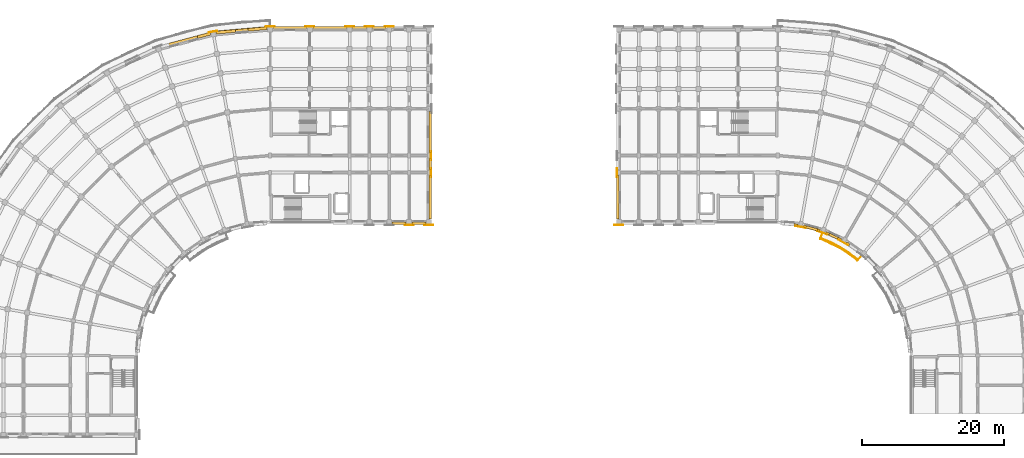
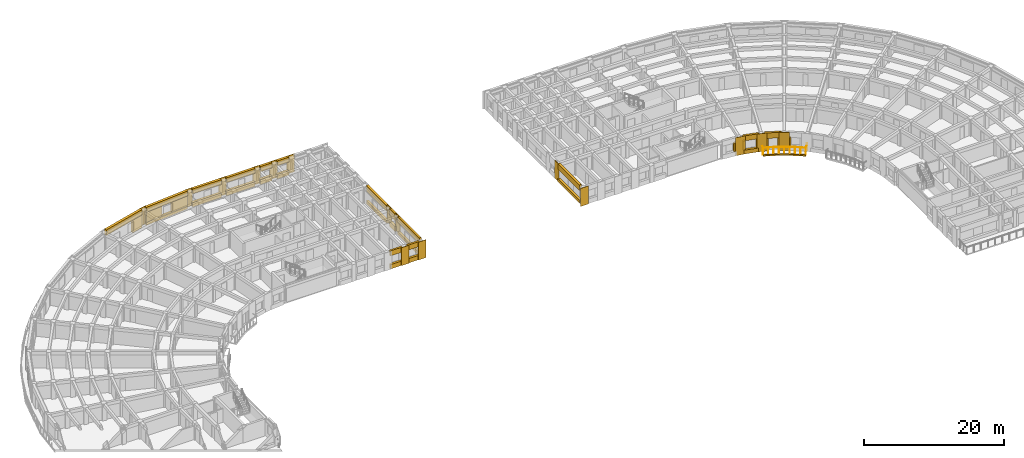
# One storey, part 48 of 54: 51 coverings, 1 railing.
"""IFC4 building model written with IfcOpenShell, lengths in metres."""

import ifcopenshell
import ifcopenshell.guid

model = None  # the IFC model being written
_history = None  # IfcOwnerHistory: only IFC2X3 demands one
_inside = {}  # id of a spatial element -> (the spatial element, [elements in it])
_under = {}  # id of a project, library or spatial element -> (it, [spatial elements below it])
_declared = {}  # id of a project -> (the project, [libraries it declares])
_typed = {}  # id of a type object -> (the type object, [elements of that type])
_made_of = {}  # id of a material, layer set ... -> (it, [elements and type objects made of it])


def new_model(schema):
    """Start an empty IFC model of exactly this schema.

    Asked for "IFC4X3", IfcOpenShell would pick the latest addendum, in which some entities
    have other attributes; the version numbers below select the first issue.
    IFC2X3 requires an IfcOwnerHistory on every rooted entity: one is made here for all.
    """
    global model, _history
    if schema == "IFC4X3":
        model = ifcopenshell.file(schema_version=(4, 3, 0, 0))
    else:
        model = ifcopenshell.file(schema=schema)
    _inside.clear()
    _under.clear()
    _declared.clear()
    _typed.clear()
    _made_of.clear()
    _history = None
    if model.schema == "IFC2X3":
        org = make("IfcOrganization", Name="unknown")
        user = make(
            "IfcPersonAndOrganization",
            ThePerson=make("IfcPerson", FamilyName="unknown"),
            TheOrganization=org,
        )
        app = make(
            "IfcApplication",
            ApplicationDeveloper=org,
            Version="unknown",
            ApplicationFullName="unknown",
            ApplicationIdentifier="unknown",
        )
        _history = make(
            "IfcOwnerHistory",
            OwningUser=user,
            OwningApplication=app,
            ChangeAction="ADDED",
            CreationDate=0,
        )
    return model


def make(cls, **values):
    """One entity of the class cls with the attributes given. An attribute that is None is left unset."""
    return model.create_entity(
        cls, **{name: value for name, value in values.items() if value is not None}
    )


def rooted(cls, **values):
    """An entity with a GlobalId (a new one), such as an element, a storey or a relation."""
    return make(cls, GlobalId=ifcopenshell.guid.new(), OwnerHistory=_history, **values)


def si_unit(unit_type, name, prefix=None):
    """IfcSIUnit, for example si_unit("LENGTHUNIT", "METRE", prefix="MILLI")."""
    return make("IfcSIUnit", UnitType=unit_type, Prefix=prefix, Name=name)


def assignment(units):
    """IfcUnitAssignment: the units of a project."""
    return None if units is None else make("IfcUnitAssignment", Units=units)


def point(xyz):
    """IfcCartesianPoint."""
    return None if xyz is None else make("IfcCartesianPoint", Coordinates=xyz)


def direction(xyz):
    """IfcDirection."""
    return None if xyz is None else make("IfcDirection", DirectionRatios=xyz)


def frame(location, z_axis=None, x_axis=None):
    """IfcAxis2Placement3D, a coordinate frame: its origin and axes. An axis left out is left unset."""
    return make(
        "IfcAxis2Placement3D",
        Location=point(location),
        Axis=direction(z_axis),
        RefDirection=direction(x_axis),
    )


def frame_2d(location, x_axis=None):
    """IfcAxis2Placement2D, a coordinate frame in the plane: its origin and x axis."""
    return make(
        "IfcAxis2Placement2D", Location=point(location), RefDirection=direction(x_axis)
    )


def origin():
    """The frame at (0, 0, 0) with its axes left unset."""
    return frame((0.0, 0.0, 0.0))


def origin_2d():
    """The frame at (0, 0) in the plane with its x axis left unset."""
    return frame_2d((0.0, 0.0))


def place(relative_to, where):
    """IfcLocalPlacement: puts the frame where relative to a parent placement (None: the world)."""
    return make(
        "IfcLocalPlacement", PlacementRelTo=relative_to, RelativePlacement=where
    )


def context(
    kind, dimensions, precision=None, world=None, true_north=None, identifier=None
):
    """IfcGeometricRepresentationContext, for example the 3D "Model" context."""
    return make(
        "IfcGeometricRepresentationContext",
        ContextIdentifier=identifier,
        ContextType=kind,
        CoordinateSpaceDimension=dimensions,
        Precision=precision,
        WorldCoordinateSystem=world,
        TrueNorth=true_north,
    )


def subcontext(parent, identifier, kind, view, scale=None):
    """IfcGeometricRepresentationSubContext, for example "Body" below "Model"."""
    return make(
        "IfcGeometricRepresentationSubContext",
        ContextIdentifier=identifier,
        ContextType=kind,
        ParentContext=parent,
        TargetScale=scale,
        TargetView=view,
    )


def project(units=None, contexts=None):
    """IfcProject with its units and contexts."""
    return rooted(
        "IfcProject",
        Name="project",
        RepresentationContexts=contexts,
        UnitsInContext=assignment(units),
    )


def spatial(cls, under=None, at=None, **own):
    """A site, building, storey or space (cls), placed at a placement, below another one or the project."""
    s = rooted(cls, ObjectPlacement=at, **own)
    if under is not None:
        _under.setdefault(under.id(), (under, []))[1].append(s)
    return s


def polyline(points):
    """IfcPolyline through the points."""
    return make("IfcPolyline", Points=[point(p) for p in points])


def profile(cls, at=None, kind="AREA", **sizes):
    """A parametric profile (cls). Its sizes go by their IFC names, for example OverallWidth=200.0."""
    return make(cls, ProfileType=kind, Position=at, **sizes)


def circle(**sizes):
    """IfcCircleProfileDef."""
    return profile("IfcCircleProfileDef", **sizes)


def outline(outer, holes=None, kind="AREA"):
    """IfcArbitraryClosedProfileDef: a profile drawn as a closed curve; with holes, ...WithVoids."""
    if holes is None:
        return make("IfcArbitraryClosedProfileDef", ProfileType=kind, OuterCurve=outer)
    return make(
        "IfcArbitraryProfileDefWithVoids",
        ProfileType=kind,
        OuterCurve=outer,
        InnerCurves=holes,
    )


def extrude(swept, where, along, depth):
    """IfcExtrudedAreaSolid: the profile swept, set in the frame where, extruded along a direction by depth."""
    return make(
        "IfcExtrudedAreaSolid",
        SweptArea=swept,
        Position=where,
        ExtrudedDirection=direction(along),
        Depth=depth,
    )


def shape(context_of_items, identifier, shape_type, items):
    """IfcShapeRepresentation: the items that make up one representation, for example the "Body"."""
    return make(
        "IfcShapeRepresentation",
        ContextOfItems=context_of_items,
        RepresentationIdentifier=identifier,
        RepresentationType=shape_type,
        Items=items,
    )


def material(Name=None, Category=None):
    """IfcMaterial."""
    return make("IfcMaterial", Name=Name, Category=Category)


def layer(
    of_material, thickness, ventilated=None, Name=None, Category=None, Priority=None
):
    """IfcMaterialLayer: one layer of a wall or slab, of a material (None: an air gap)."""
    return make(
        "IfcMaterialLayer",
        Material=of_material,
        LayerThickness=thickness,
        IsVentilated=ventilated,
        Name=Name,
        Category=Category,
        Priority=Priority,
    )


def layer_set(layers, Name=None):
    """IfcMaterialLayerSet."""
    return make("IfcMaterialLayerSet", MaterialLayers=layers, LayerSetName=Name)


def made_of(thing, what):
    """Note that an element or type object is made of a material, layer set ...; save() writes the relation."""
    if what is not None:
        _made_of.setdefault(what.id(), (what, []))[1].append(thing)
    return thing


def type_object(cls, material=None, **own):
    """A type object (cls), such as IfcWallType, which elements share."""
    return made_of(rooted(cls, **own), material)


def element(
    cls,
    number,
    at=None,
    inside=None,
    cuts=None,
    type_object=None,
    material=None,
    context=None,
    identifier="Body",
    shape_type=None,
    held_by="IfcProductDefinitionShape",
    body=None,
    shapes=None,
    **own,
):
    """One element of the class cls, such as IfcWall. Its Tag is "e" and its number.

    at: its placement. inside: the storey or other place that contains it. cuts: it is an
    opening in that element (IfcRelVoidsElement). A single representation is given by context,
    identifier, shape_type and body (its items); several are given by shapes. held_by: the class
    of the entity that holds the representations. save() writes the other relations.
    """
    e = rooted(cls, Tag="e%d" % number, ObjectPlacement=at, **own)
    if body is not None:
        shapes = [shape(context, identifier, shape_type, body)]
    if shapes is not None:
        e.Representation = make(held_by, Representations=shapes)
    if inside is not None:
        _inside.setdefault(inside.id(), (inside, []))[1].append(e)
    if cuts is not None:
        rooted(
            "IfcRelVoidsElement", RelatingBuildingElement=cuts, RelatedOpeningElement=e
        )
    if type_object is not None:
        _typed.setdefault(type_object.id(), (type_object, []))[1].append(e)
    return made_of(e, material)


def aggregate(whole, parts):
    """IfcRelAggregates: a whole, such as a stair, and the parts it consists of."""
    return rooted("IfcRelAggregates", RelatingObject=whole, RelatedObjects=parts)


def save(model, path):
    """Write the relations noted so far, then the file.

    IfcRelAggregates (storeys below a building ...), IfcRelContainedInSpatialStructure (elements
    in a storey), IfcRelDefinesByType, IfcRelAssociatesMaterial and IfcRelDeclares: one each for
    every whole, place, type object, material and project.
    """
    for whole, parts in _under.values():
        aggregate(whole, parts)
    for where, things in _inside.values():
        rooted(
            "IfcRelContainedInSpatialStructure",
            RelatedElements=things,
            RelatingStructure=where,
        )
    for kind, things in _typed.values():
        rooted("IfcRelDefinesByType", RelatedObjects=things, RelatingType=kind)
    for what, things in _made_of.values():
        rooted("IfcRelAssociatesMaterial", RelatedObjects=things, RelatingMaterial=what)
    for by, libraries in _declared.values():
        rooted("IfcRelDeclares", RelatingContext=by, RelatedDefinitions=libraries)
    model.write(path)


model = new_model("IFC4")

# Units and contexts
model_context = context("Model", 3, precision=1e-05, world=origin(), true_north=direction((0.0, 1.0)))
body_context = subcontext(model_context, "Body", "Model", "MODEL_VIEW")
ifc_project = project(units=[si_unit("LENGTHUNIT", "METRE"), si_unit("AREAUNIT", "SQUARE_METRE"), si_unit("VOLUMEUNIT", "CUBIC_METRE"), si_unit("PLANEANGLEUNIT", "RADIAN"), si_unit("MASSUNIT", "GRAM", prefix="KILO")], contexts=[model_context])

# Site, building, storey
site_placement = place(None, origin())
site = spatial("IfcSite", under=ifc_project, at=site_placement, CompositionType="ELEMENT")
building_placement = place(site_placement, origin())
building = spatial("IfcBuilding", under=site, at=building_placement, Name="Kiranvali Square Residences", CompositionType="ELEMENT")
storey_placement = place(building_placement, frame((0.0, 0.0, 27.60009765625)))
storey = spatial("IfcBuildingStorey", under=building, at=storey_placement, Name="L08", CompositionType="ELEMENT", Elevation=27.60009765625)

# Coverings
ifc_material_1 = material(Name="Carved Porbandar limestone classical entablature and cornice", Category="masonry")
ifc_layer_1 = layer(ifc_material_1, 0.06201171875)
ifc_layer_set_1 = layer_set([ifc_layer_1], Name="Carved Porbandar limestone classical entablature and cornice")
covering_type_1 = type_object("IfcCoveringType", Name="COV-CLAD-GBAL", PredefinedType="CLADDING", material=ifc_layer_set_1)
covering_1_placement = place(storey_placement, frame((0.0, 0.0, -0.22021484375)))
element("IfcCovering", 1, at=covering_1_placement, inside=storey, type_object=covering_type_1, Name="Block B L08 garden balcony limestone fascia 1", PredefinedType="CLADDING", context=body_context, shape_type="SweptSolid", body=[
    extrude(outline(polyline([(125.778564453125, 104.225830078125), (128.5400390625, 102.938232421875), (131.035888671875, 101.1904296875), (131.07958984375, 101.242431640625), (128.573974609375, 102.9970703125), (125.8017578125, 104.289794921875), (125.778564453125, 104.225830078125)])), origin(), (0.0, 0.0, 1.0), 0.27001953125),
])
ifc_material_2 = material(Name="Honed Porbandar limestone ashlar facade cladding", Category="masonry")
ifc_layer_2 = layer(ifc_material_2, 0.3798828125)
ifc_layer_set_2 = layer_set([ifc_layer_2], Name="Honed Porbandar limestone ashlar facade cladding")
covering_type_2 = type_object("IfcCoveringType", Name="COV-CLAD-JAMB", PredefinedType="CLADDING", material=ifc_layer_set_2)
covering_2_placement = place(storey_placement, frame((0.0, 0.0, 0.52197265625)))
element("IfcCovering", 2, at=covering_2_placement, inside=storey, type_object=covering_type_2, Name="L08 deep limestone window jamb reveal A-L08-CRV-00.L", PredefinedType="CLADDING", context=body_context, shape_type="SweptSolid", body=[
    extrude(outline(polyline([(47.765869140625, 134.173583984375), (45.0419921875, 133.935302734375), (45.07763671875, 133.52734375), (47.801513671875, 133.765625), (47.765869140625, 134.173583984375)])), origin(), (0.0, 0.0, 1.0), 1.75),
])
covering_3_placement = place(storey_placement, frame((0.0, 0.0, 0.52197265625)))
element("IfcCovering", 3, at=covering_3_placement, inside=storey, type_object=covering_type_2, Name="L08 deep limestone window jamb reveal A-L08-CRV-00.R", PredefinedType="CLADDING", context=body_context, shape_type="SweptSolid", body=[
    extrude(outline(polyline([(43.298583984375, 133.78271484375), (40.574951171875, 133.54443359375), (40.610595703125, 133.136474609375), (43.33447265625, 133.374755859375), (43.298583984375, 133.78271484375)])), origin(), (0.0, 0.0, 1.0), 1.75),
])
covering_4_placement = place(storey_placement, origin())
element("IfcCovering", 4, at=covering_4_placement, inside=storey, type_object=covering_type_2, Name="L08 deep limestone window jamb reveal A-L08-CRV-01.L", PredefinedType="CLADDING", context=body_context, shape_type="SweptSolid", body=[
    extrude(outline(polyline([(39.7197265625, 133.3935546875), (37.9072265625, 132.907958984375), (38.01318359375, 132.512451171875), (39.82568359375, 132.998046875), (39.7197265625, 133.3935546875)])), origin(), (0.0, 0.0, 1.0), 2.179931640625),
])
covering_5_placement = place(storey_placement, frame((0.0, 0.0, 0.77197265625)))
element("IfcCovering", 5, at=covering_5_placement, inside=storey, type_object=covering_type_2, Name="L08 deep limestone window jamb reveal B-L08-GDN-00.R", PredefinedType="CLADDING", context=body_context, shape_type="SweptSolid", body=[
    extrude(outline(polyline([(122.05029296875, 106.061767578125), (122.5966796875, 106.013916015625), (122.626220703125, 106.352294921875), (122.079833984375, 106.400146484375), (122.05029296875, 106.061767578125)])), origin(), (0.0, 0.0, 1.0), 1.5),
])
covering_6_placement = place(storey_placement, frame((0.0, 0.0, 0.671875)))
element("IfcCovering", 6, at=covering_6_placement, inside=storey, type_object=covering_type_2, Name="L08 deep limestone window jamb reveal B-L08-GDN-01.L", PredefinedType="CLADDING", context=body_context, shape_type="SweptSolid", body=[
    extrude(outline(polyline([(123.401611328125, 105.8720703125), (123.762451171875, 105.775390625), (123.850341796875, 106.103271484375), (123.489501953125, 106.199951171875), (123.401611328125, 105.8720703125)])), origin(), (0.0, 0.0, 1.0), 1.60009765625),
])
covering_7_placement = place(storey_placement, frame((0.0, 0.0, 0.671875)))
element("IfcCovering", 7, at=covering_7_placement, inside=storey, type_object=covering_type_2, Name="L08 deep limestone window jamb reveal B-L08-GDN-01.R", PredefinedType="CLADDING", context=body_context, shape_type="SweptSolid", body=[
    extrude(outline(polyline([(125.356201171875, 105.348388671875), (125.717041015625, 105.251708984375), (125.804931640625, 105.57958984375), (125.444091796875, 105.67626953125), (125.356201171875, 105.348388671875)])), origin(), (0.0, 0.0, 1.0), 1.60009765625),
])
covering_8_placement = place(storey_placement, origin())
element("IfcCovering", 8, at=covering_8_placement, inside=storey, type_object=covering_type_2, Name="L08 deep limestone window jamb reveal B-L08-GDN-02.L", PredefinedType="CLADDING", context=body_context, shape_type="SweptSolid", body=[
    extrude(outline(polyline([(126.485107421875, 104.97216796875), (126.982177734375, 104.740234375), (127.125732421875, 105.048095703125), (126.62841796875, 105.27978515625), (126.485107421875, 104.97216796875)])), origin(), (0.0, 0.0, 1.0), 2.179931640625),
])
covering_9_placement = place(storey_placement, origin())
element("IfcCovering", 9, at=covering_9_placement, inside=storey, type_object=covering_type_2, Name="L08 deep limestone window jamb reveal B-L08-GDN-02.R", PredefinedType="CLADDING", context=body_context, shape_type="SweptSolid", body=[
    extrude(outline(polyline([(128.160400390625, 104.19091796875), (128.657470703125, 103.958984375), (128.801025390625, 104.266845703125), (128.303955078125, 104.49853515625), (128.160400390625, 104.19091796875)])), origin(), (0.0, 0.0, 1.0), 2.179931640625),
])
covering_10_placement = place(storey_placement, frame((0.0, 0.0, 0.77197265625)))
element("IfcCovering", 10, at=covering_10_placement, inside=storey, type_object=covering_type_2, Name="L08 deep limestone window jamb reveal B-L08-GDN-03.L", PredefinedType="CLADDING", context=body_context, shape_type="SweptSolid", body=[
    extrude(outline(polyline([(129.365478515625, 103.55029296875), (129.814697265625, 103.23583984375), (130.009521484375, 103.513916015625), (129.56005859375, 103.828369140625), (129.365478515625, 103.55029296875)])), origin(), (0.0, 0.0, 1.0), 1.5),
])
ifc_layer_3 = layer(ifc_material_2, 0.06494140625)
ifc_layer_set_3 = layer_set([ifc_layer_3], Name="Honed Porbandar limestone ashlar facade cladding")
covering_type_3 = type_object("IfcCoveringType", Name="COV-CLAD-PIER", PredefinedType="CLADDING", material=ifc_layer_set_3)
covering_11_placement = place(storey_placement, frame((0.0, 0.0, 0.0048828125)))
element("IfcCovering", 11, at=covering_11_placement, inside=storey, type_object=covering_type_3, Name="L08 Classical limestone corner pilaster CLAD-PR-A-L08-A00", PredefinedType="CLADDING", context=body_context, shape_type="SweptSolid", body=[
    extrude(outline(polyline([(48.830078125, 134.218017578125), (47.570068359375, 134.218017578125), (47.570068359375, 134.150390625), (48.830078125, 134.150390625), (48.830078125, 134.218017578125)])), origin(), (0.0, 0.0, 1.0), 3.14013671875),
])
covering_12_placement = place(storey_placement, frame((0.0, 0.0, 0.0048828125)))
element("IfcCovering", 12, at=covering_12_placement, inside=storey, type_object=covering_type_3, Name="L08 Classical limestone corner pilaster CLAD-PR-A-L08-A01", PredefinedType="CLADDING", context=body_context, shape_type="SweptSolid", body=[
    extrude(outline(polyline([(40.760009765625, 133.622314453125), (39.519287109375, 133.4033203125), (39.531005859375, 133.3369140625), (40.771728515625, 133.5556640625), (40.760009765625, 133.622314453125)])), origin(), (0.0, 0.0, 1.0), 3.14013671875),
])
ifc_layer_4 = layer(ifc_material_2, 0.050048828125)
ifc_layer_set_4 = layer_set([ifc_layer_4], Name="Honed Porbandar limestone ashlar facade cladding")
covering_type_4 = type_object("IfcCoveringType", Name="COV-CLAD-PIER-IN", PredefinedType="CLADDING", material=ifc_layer_set_4)
covering_13_placement = place(storey_placement, frame((0.0, 0.0, 0.0048828125)))
element("IfcCovering", 13, at=covering_13_placement, inside=storey, type_object=covering_type_4, Name="L08 Classical limestone pilaster casing CLAD-PRA1I-A-L08-U195", PredefinedType="CLADDING", context=body_context, shape_type="SweptSolid", body=[
    extrude(outline(polyline([(67.169921875, 106.181884765625), (68.429931640625, 106.181884765625), (68.429931640625, 106.24951171875), (67.169921875, 106.24951171875), (67.169921875, 106.181884765625)])), origin(), (0.0, 0.0, 1.0), 3.14013671875),
])
covering_14_placement = place(storey_placement, frame((0.0, 0.0, 0.0048828125)))
element("IfcCovering", 14, at=covering_14_placement, inside=storey, type_object=covering_type_4, Name="L08 Classical limestone pilaster casing CLAD-PRA1I-A-L08-U224", PredefinedType="CLADDING", context=body_context, shape_type="SweptSolid", body=[
    extrude(outline(polyline([(69.969970703125, 106.181884765625), (71.22998046875, 106.181884765625), (71.22998046875, 106.24951171875), (69.969970703125, 106.24951171875), (69.969970703125, 106.181884765625)])), origin(), (0.0, 0.0, 1.0), 3.14013671875),
])
covering_15_placement = place(storey_placement, frame((0.0, 0.0, 0.0048828125)))
element("IfcCovering", 15, at=covering_15_placement, inside=storey, type_object=covering_type_4, Name="L08 Classical garden courtyard pilaster CLAD-PRIN-B-L08-A01", PredefinedType="CLADDING", context=body_context, shape_type="SweptSolid", body=[
    extrude(outline(polyline([(122.25341796875, 106.032958984375), (123.730712890625, 105.7724609375), (123.742431640625, 105.8388671875), (122.26513671875, 106.099365234375), (122.25341796875, 106.032958984375)])), origin(), (0.0, 0.0, 1.0), 3.14013671875),
])
covering_16_placement = place(storey_placement, frame((0.0, 0.0, 0.0048828125)))
element("IfcCovering", 16, at=covering_16_placement, inside=storey, type_object=covering_type_4, Name="L08 Classical garden courtyard pilaster CLAD-PRIN-B-L08-A02", PredefinedType="CLADDING", context=body_context, shape_type="SweptSolid", body=[
    extrude(outline(polyline([(125.38232421875, 105.329833984375), (126.791748046875, 104.81689453125), (126.81494140625, 104.88037109375), (125.4052734375, 105.393310546875), (125.38232421875, 105.329833984375)])), origin(), (0.0, 0.0, 1.0), 3.14013671875),
])
covering_17_placement = place(storey_placement, frame((0.0, 0.0, 0.0048828125)))
element("IfcCovering", 17, at=covering_17_placement, inside=storey, type_object=covering_type_4, Name="L08 Classical garden courtyard pilaster CLAD-PRIN-B-L08-A03", PredefinedType="CLADDING", context=body_context, shape_type="SweptSolid", body=[
    extrude(outline(polyline([(128.341552734375, 104.09423828125), (129.640625, 103.34423828125), (129.67431640625, 103.40283203125), (128.375244140625, 104.15283203125), (128.341552734375, 104.09423828125)])), origin(), (0.0, 0.0, 1.0), 3.14013671875),
])
covering_18_placement = place(storey_placement, frame((0.0, 0.0, 0.0048828125)))
element("IfcCovering", 18, at=covering_18_placement, inside=storey, type_object=covering_type_4, Name="L08 Classical limestone pilaster casing CLAD-PRA1I-B-L08-U224", PredefinedType="CLADDING", context=body_context, shape_type="SweptSolid", body=[
    extrude(outline(polyline([(98.030029296875, 106.24951171875), (96.77001953125, 106.24951171875), (96.77001953125, 106.181884765625), (98.030029296875, 106.181884765625), (98.030029296875, 106.24951171875)])), origin(), (0.0, 0.0, 1.0), 3.14013671875),
])
ifc_layer_5 = layer(ifc_material_2, 0.054931640625)
ifc_layer_set_5 = layer_set([ifc_layer_5], Name="Honed Porbandar limestone ashlar facade cladding")
covering_type_5 = type_object("IfcCoveringType", Name="COV-CLAD-PIER-UP", PredefinedType="CLADDING", material=ifc_layer_set_5)
covering_19_placement = place(storey_placement, frame((0.0, 0.0, 0.0048828125)))
element("IfcCovering", 19, at=covering_19_placement, inside=storey, type_object=covering_type_5, Name="L08 Classical limestone pilaster casing CLAD-PR-A-L08-U56", PredefinedType="CLADDING", context=body_context, shape_type="SweptSolid", body=[
    extrude(outline(polyline([(53.169921875, 134.150390625), (54.429931640625, 134.150390625), (54.429931640625, 134.218017578125), (53.169921875, 134.218017578125), (53.169921875, 134.150390625)])), origin(), (0.0, 0.0, 1.0), 3.14013671875),
])
covering_20_placement = place(storey_placement, frame((0.0, 0.0, 0.0048828125)))
element("IfcCovering", 20, at=covering_20_placement, inside=storey, type_object=covering_type_5, Name="L08 Classical limestone pilaster casing CLAD-PR-A-L08-U112", PredefinedType="CLADDING", context=body_context, shape_type="SweptSolid", body=[
    extrude(outline(polyline([(58.77001953125, 134.150390625), (60.030029296875, 134.150390625), (60.030029296875, 134.218017578125), (58.77001953125, 134.218017578125), (58.77001953125, 134.150390625)])), origin(), (0.0, 0.0, 1.0), 3.14013671875),
])
covering_21_placement = place(storey_placement, frame((0.0, 0.0, 0.0048828125)))
element("IfcCovering", 21, at=covering_21_placement, inside=storey, type_object=covering_type_5, Name="L08 Classical limestone pilaster casing CLAD-PR-A-L08-U140", PredefinedType="CLADDING", context=body_context, shape_type="SweptSolid", body=[
    extrude(outline(polyline([(61.570068359375, 134.150390625), (62.830078125, 134.150390625), (62.830078125, 134.218017578125), (61.570068359375, 134.218017578125), (61.570068359375, 134.150390625)])), origin(), (0.0, 0.0, 1.0), 3.14013671875),
])
covering_22_placement = place(storey_placement, frame((0.0, 0.0, 0.0048828125)))
element("IfcCovering", 22, at=covering_22_placement, inside=storey, type_object=covering_type_5, Name="L08 Classical limestone pilaster casing CLAD-PR-A-L08-U167", PredefinedType="CLADDING", context=body_context, shape_type="SweptSolid", body=[
    extrude(outline(polyline([(64.3701171875, 134.150390625), (65.6298828125, 134.150390625), (65.6298828125, 134.218017578125), (64.3701171875, 134.218017578125), (64.3701171875, 134.150390625)])), origin(), (0.0, 0.0, 1.0), 3.14013671875),
])
covering_23_placement = place(storey_placement, frame((0.0, 0.0, 0.0048828125)))
element("IfcCovering", 23, at=covering_23_placement, inside=storey, type_object=covering_type_5, Name="L08 Classical limestone pilaster casing CLAD-PRA1E-A-L08-R258", PredefinedType="CLADDING", context=body_context, shape_type="SweptSolid", body=[
    extrude(outline(polyline([(70.91796875, 112.969970703125), (70.91796875, 114.22998046875), (70.8505859375, 114.22998046875), (70.8505859375, 112.969970703125), (70.91796875, 112.969970703125)])), origin(), (0.0, 0.0, 1.0), 3.14013671875),
])
covering_24_placement = place(storey_placement, frame((0.0, 0.0, 0.0048828125)))
element("IfcCovering", 24, at=covering_24_placement, inside=storey, type_object=covering_type_5, Name="L08 Classical limestone pilaster casing CLAD-PRA1E-A-L08-R282", PredefinedType="CLADDING", context=body_context, shape_type="SweptSolid", body=[
    extrude(outline(polyline([(70.91796875, 115.3701171875), (70.91796875, 116.6298828125), (70.8505859375, 116.6298828125), (70.8505859375, 115.3701171875), (70.91796875, 115.3701171875)])), origin(), (0.0, 0.0, 1.0), 3.14013671875),
])
covering_25_placement = place(storey_placement, frame((0.0, 0.0, 0.0048828125)))
element("IfcCovering", 25, at=covering_25_placement, inside=storey, type_object=covering_type_5, Name="L08 Classical limestone pilaster casing CLAD-PRA1E-B-L08-R258", PredefinedType="CLADDING", context=body_context, shape_type="SweptSolid", body=[
    extrude(outline(polyline([(97.1494140625, 112.969970703125), (97.1494140625, 114.22998046875), (97.08203125, 114.22998046875), (97.08203125, 112.969970703125), (97.1494140625, 112.969970703125)])), origin(), (0.0, 0.0, 1.0), 3.14013671875),
])
ifc_layer_6 = layer(ifc_material_2, 0.360107421875)
ifc_layer_set_6 = layer_set([ifc_layer_6], Name="Honed Porbandar limestone ashlar facade cladding")
covering_type_6 = type_object("IfcCoveringType", Name="COV-CLAD-WALL", PredefinedType="CLADDING", material=ifc_layer_set_6)
covering_26_placement = place(storey_placement, frame((0.0, 0.0, 2.27197265625)))
element("IfcCovering", 26, at=covering_26_placement, inside=storey, type_object=covering_type_6, Name="L08 light limestone spandrel lintel A-L08-CRV-00", PredefinedType="CLADDING", context=body_context, shape_type="SweptSolid", body=[
    extrude(outline(polyline([(47.765869140625, 134.173583984375), (40.574951171875, 133.54443359375), (40.610595703125, 133.136474609375), (47.801513671875, 133.765625), (47.765869140625, 134.173583984375)])), origin(), (0.0, 0.0, 1.0), 0.873046875),
])
covering_27_placement = place(storey_placement, frame((0.0, 0.0, 0.0048828125)))
element("IfcCovering", 27, at=covering_27_placement, inside=storey, type_object=covering_type_6, Name="L08 limestone window sill apron A-L08-CRV-00", PredefinedType="CLADDING", context=body_context, shape_type="SweptSolid", body=[
    extrude(outline(polyline([(47.76318359375, 134.203369140625), (40.572265625, 133.57421875), (40.610595703125, 133.136474609375), (47.801513671875, 133.765625), (47.76318359375, 134.203369140625)])), origin(), (0.0, 0.0, 1.0), 0.51708984375),
])
covering_28_placement = place(storey_placement, frame((0.0, 0.0, 2.179931640625)))
element("IfcCovering", 28, at=covering_28_placement, inside=storey, type_object=covering_type_6, Name="L08 light limestone spandrel lintel A-L08-CRV-01", PredefinedType="CLADDING", context=body_context, shape_type="SweptSolid", body=[
    extrude(outline(polyline([(39.7197265625, 133.3935546875), (32.747314453125, 131.525390625), (32.853271484375, 131.1298828125), (39.82568359375, 132.998046875), (39.7197265625, 133.3935546875)])), origin(), (0.0, 0.0, 1.0), 0.965087890625),
])
covering_29_placement = place(storey_placement, frame((0.0, 0.0, 2.27197265625)))
element("IfcCovering", 29, at=covering_29_placement, inside=storey, type_object=covering_type_6, Name="L08 light limestone spandrel lintel A-L08-A1O-0", PredefinedType="CLADDING", context=body_context, shape_type="SweptSolid", body=[
    extrude(outline(polyline([(48.639892578125, 133.800537109375), (53.360107421875, 133.800537109375), (53.360107421875, 134.199951171875), (48.639892578125, 134.199951171875), (48.639892578125, 133.800537109375)])), origin(), (0.0, 0.0, 1.0), 0.873046875),
])
covering_30_placement = place(storey_placement, frame((0.0, 0.0, 0.0048828125)))
element("IfcCovering", 30, at=covering_30_placement, inside=storey, type_object=covering_type_6, Name="L08 limestone window sill apron A-L08-A1O-0", PredefinedType="CLADDING", context=body_context, shape_type="SweptSolid", body=[
    extrude(outline(polyline([(48.639892578125, 133.800537109375), (53.360107421875, 133.800537109375), (53.360107421875, 134.22998046875), (48.639892578125, 134.22998046875), (48.639892578125, 133.800537109375)])), origin(), (0.0, 0.0, 1.0), 0.76708984375),
])
covering_31_placement = place(storey_placement, frame((0.0, 0.0, 2.27197265625)))
element("IfcCovering", 31, at=covering_31_placement, inside=storey, type_object=covering_type_6, Name="L08 light limestone spandrel lintel A-L08-A1O-1", PredefinedType="CLADDING", context=body_context, shape_type="SweptSolid", body=[
    extrude(outline(polyline([(54.239990234375, 133.800537109375), (58.9599609375, 133.800537109375), (58.9599609375, 134.199951171875), (54.239990234375, 134.199951171875), (54.239990234375, 133.800537109375)])), origin(), (0.0, 0.0, 1.0), 0.873046875),
])
covering_32_placement = place(storey_placement, frame((0.0, 0.0, 0.0048828125)))
element("IfcCovering", 32, at=covering_32_placement, inside=storey, type_object=covering_type_6, Name="L08 limestone window sill apron A-L08-A1O-1", PredefinedType="CLADDING", context=body_context, shape_type="SweptSolid", body=[
    extrude(outline(polyline([(54.239990234375, 133.800537109375), (58.9599609375, 133.800537109375), (58.9599609375, 134.22998046875), (54.239990234375, 134.22998046875), (54.239990234375, 133.800537109375)])), origin(), (0.0, 0.0, 1.0), 0.817138671875),
])
covering_33_placement = place(storey_placement, frame((0.0, 0.0, 2.22998046875)))
element("IfcCovering", 33, at=covering_33_placement, inside=storey, type_object=covering_type_6, Name="L08 light limestone spandrel lintel A-L08-A1O-2", PredefinedType="CLADDING", context=body_context, shape_type="SweptSolid", body=[
    extrude(outline(polyline([(59.840087890625, 133.800537109375), (61.760009765625, 133.800537109375), (61.760009765625, 134.199951171875), (59.840087890625, 134.199951171875), (59.840087890625, 133.800537109375)])), origin(), (0.0, 0.0, 1.0), 0.9150390625),
])
covering_34_placement = place(storey_placement, frame((0.0, 0.0, 0.0048828125)))
element("IfcCovering", 34, at=covering_34_placement, inside=storey, type_object=covering_type_6, Name="L08 limestone window sill apron A-L08-A1O-2", PredefinedType="CLADDING", context=body_context, shape_type="SweptSolid", body=[
    extrude(outline(polyline([(59.840087890625, 133.800537109375), (61.760009765625, 133.800537109375), (61.760009765625, 134.22998046875), (59.840087890625, 134.22998046875), (59.840087890625, 133.800537109375)])), origin(), (0.0, 0.0, 1.0), 0.875),
])
covering_35_placement = place(storey_placement, frame((0.0, 0.0, 2.27197265625)))
element("IfcCovering", 35, at=covering_35_placement, inside=storey, type_object=covering_type_6, Name="L08 light limestone spandrel lintel A-L08-A1O-3", PredefinedType="CLADDING", context=body_context, shape_type="SweptSolid", body=[
    extrude(outline(polyline([(62.639892578125, 133.800537109375), (64.56005859375, 133.800537109375), (64.56005859375, 134.199951171875), (62.639892578125, 134.199951171875), (62.639892578125, 133.800537109375)])), origin(), (0.0, 0.0, 1.0), 0.873046875),
])
covering_36_placement = place(storey_placement, frame((0.0, 0.0, 0.0048828125)))
element("IfcCovering", 36, at=covering_36_placement, inside=storey, type_object=covering_type_6, Name="L08 limestone window sill apron A-L08-A1O-3", PredefinedType="CLADDING", context=body_context, shape_type="SweptSolid", body=[
    extrude(outline(polyline([(62.639892578125, 133.800537109375), (64.56005859375, 133.800537109375), (64.56005859375, 134.22998046875), (62.639892578125, 134.22998046875), (62.639892578125, 133.800537109375)])), origin(), (0.0, 0.0, 1.0), 0.76708984375),
])
covering_37_placement = place(storey_placement, frame((0.0, 0.0, 2.27197265625)))
element("IfcCovering", 37, at=covering_37_placement, inside=storey, type_object=covering_type_6, Name="L08 light limestone spandrel lintel A-L08-A1I-2", PredefinedType="CLADDING", context=body_context, shape_type="SweptSolid", body=[
    extrude(outline(polyline([(65.419921875, 106.280029296875), (67.3798828125, 106.280029296875), (67.3798828125, 106.599609375), (65.419921875, 106.599609375), (65.419921875, 106.280029296875)])), origin(), (0.0, 0.0, 1.0), 0.873046875),
])
covering_38_placement = place(storey_placement, frame((0.0, 0.0, 0.0048828125)))
element("IfcCovering", 38, at=covering_38_placement, inside=storey, type_object=covering_type_6, Name="L08 limestone window sill apron A-L08-A1I-2", PredefinedType="CLADDING", context=body_context, shape_type="SweptSolid", body=[
    extrude(outline(polyline([(65.419921875, 106.25), (67.3798828125, 106.25), (67.3798828125, 106.599609375), (65.419921875, 106.599609375), (65.419921875, 106.25)])), origin(), (0.0, 0.0, 1.0), 0.76708984375),
])
covering_39_placement = place(storey_placement, frame((0.0, 0.0, 2.27197265625)))
element("IfcCovering", 39, at=covering_39_placement, inside=storey, type_object=covering_type_6, Name="L08 light limestone spandrel lintel A-L08-A1I-3", PredefinedType="CLADDING", context=body_context, shape_type="SweptSolid", body=[
    extrude(outline(polyline([(68.219970703125, 106.280029296875), (70.179931640625, 106.280029296875), (70.179931640625, 106.599609375), (68.219970703125, 106.599609375), (68.219970703125, 106.280029296875)])), origin(), (0.0, 0.0, 1.0), 0.873046875),
])
covering_40_placement = place(storey_placement, frame((0.0, 0.0, 0.0048828125)))
element("IfcCovering", 40, at=covering_40_placement, inside=storey, type_object=covering_type_6, Name="L08 limestone window sill apron A-L08-A1I-3", PredefinedType="CLADDING", context=body_context, shape_type="SweptSolid", body=[
    extrude(outline(polyline([(68.219970703125, 106.25), (70.179931640625, 106.25), (70.179931640625, 106.599609375), (68.219970703125, 106.599609375), (68.219970703125, 106.25)])), origin(), (0.0, 0.0, 1.0), 0.76708984375),
])
covering_41_placement = place(storey_placement, frame((0.0, 0.0, 2.171875)))
element("IfcCovering", 41, at=covering_41_placement, inside=storey, type_object=covering_type_6, Name="L08 light limestone spandrel lintel A-L08-A1END-0", PredefinedType="CLADDING", context=body_context, shape_type="SweptSolid", body=[
    extrude(outline(polyline([(70.93994140625, 107.02001953125), (70.93994140625, 113.179931640625), (70.6005859375, 113.179931640625), (70.6005859375, 107.02001953125), (70.93994140625, 107.02001953125)])), origin(), (0.0, 0.0, 1.0), 0.97314453125),
])
covering_42_placement = place(storey_placement, frame((0.0, 0.0, 0.0048828125)))
element("IfcCovering", 42, at=covering_42_placement, inside=storey, type_object=covering_type_6, Name="L08 limestone window sill apron A-L08-A1END-0", PredefinedType="CLADDING", context=body_context, shape_type="SweptSolid", body=[
    extrude(outline(polyline([(70.969970703125, 107.02001953125), (70.969970703125, 113.179931640625), (70.6005859375, 113.179931640625), (70.6005859375, 107.02001953125), (70.969970703125, 107.02001953125)])), origin(), (0.0, 0.0, 1.0), 0.51708984375),
])
covering_43_placement = place(storey_placement, frame((0.0, 0.0, 1.929931640625)))
element("IfcCovering", 43, at=covering_43_placement, inside=storey, type_object=covering_type_6, Name="L08 light limestone spandrel lintel A-L08-A1END-1", PredefinedType="CLADDING", context=body_context, shape_type="SweptSolid", body=[
    extrude(outline(polyline([(70.93994140625, 114.02001953125), (70.93994140625, 115.580078125), (70.6005859375, 115.580078125), (70.6005859375, 114.02001953125), (70.93994140625, 114.02001953125)])), origin(), (0.0, 0.0, 1.0), 1.215087890625),
])
covering_44_placement = place(storey_placement, frame((0.0, 0.0, 0.0048828125)))
element("IfcCovering", 44, at=covering_44_placement, inside=storey, type_object=covering_type_6, Name="L08 limestone window sill apron A-L08-A1END-1", PredefinedType="CLADDING", context=body_context, shape_type="SweptSolid", body=[
    extrude(outline(polyline([(70.969970703125, 114.02001953125), (70.969970703125, 115.580078125), (70.6005859375, 115.580078125), (70.6005859375, 114.02001953125), (70.969970703125, 114.02001953125)])), origin(), (0.0, 0.0, 1.0), 0.875),
])
covering_45_placement = place(storey_placement, frame((0.0, 0.0, 2.171875)))
element("IfcCovering", 45, at=covering_45_placement, inside=storey, type_object=covering_type_6, Name="L08 light limestone spandrel lintel A-L08-A1END-2", PredefinedType="CLADDING", context=body_context, shape_type="SweptSolid", body=[
    extrude(outline(polyline([(70.93994140625, 116.419921875), (70.93994140625, 122.179931640625), (70.6005859375, 122.179931640625), (70.6005859375, 116.419921875), (70.93994140625, 116.419921875)])), origin(), (0.0, 0.0, 1.0), 0.97314453125),
])
covering_46_placement = place(storey_placement, frame((0.0, 0.0, 0.0048828125)))
element("IfcCovering", 46, at=covering_46_placement, inside=storey, type_object=covering_type_6, Name="L08 limestone window sill apron A-L08-A1END-2", PredefinedType="CLADDING", context=body_context, shape_type="SweptSolid", body=[
    extrude(outline(polyline([(70.969970703125, 116.419921875), (70.969970703125, 122.179931640625), (70.6005859375, 122.179931640625), (70.6005859375, 116.419921875), (70.969970703125, 116.419921875)])), origin(), (0.0, 0.0, 1.0), 0.51708984375),
])
covering_47_placement = place(storey_placement, frame((0.0, 0.0, 2.27197265625)))
element("IfcCovering", 47, at=covering_47_placement, inside=storey, type_object=covering_type_6, Name="L08 light limestone spandrel lintel B-L08-GDN-01", PredefinedType="CLADDING", context=body_context, shape_type="SweptSolid", body=[
    extrude(outline(polyline([(123.401611328125, 105.8720703125), (125.717041015625, 105.251708984375), (125.804931640625, 105.57958984375), (123.489501953125, 106.199951171875), (123.401611328125, 105.8720703125)])), origin(), (0.0, 0.0, 1.0), 0.873046875),
])
covering_48_placement = place(storey_placement, frame((0.0, 0.0, 2.179931640625)))
element("IfcCovering", 48, at=covering_48_placement, inside=storey, type_object=covering_type_6, Name="L08 light limestone spandrel lintel B-L08-GDN-02", PredefinedType="CLADDING", context=body_context, shape_type="SweptSolid", body=[
    extrude(outline(polyline([(126.485107421875, 104.97216796875), (128.657470703125, 103.958984375), (128.801025390625, 104.266845703125), (126.62841796875, 105.27978515625), (126.485107421875, 104.97216796875)])), origin(), (0.0, 0.0, 1.0), 0.965087890625),
])
covering_49_placement = place(storey_placement, frame((0.0, 0.0, 2.171875)))
element("IfcCovering", 49, at=covering_49_placement, inside=storey, type_object=covering_type_6, Name="L08 light limestone spandrel lintel B-L08-A1END-0", PredefinedType="CLADDING", context=body_context, shape_type="SweptSolid", body=[
    extrude(outline(polyline([(97.3994140625, 107.02001953125), (97.3994140625, 113.179931640625), (97.06005859375, 113.179931640625), (97.06005859375, 107.02001953125), (97.3994140625, 107.02001953125)])), origin(), (0.0, 0.0, 1.0), 0.97314453125),
])
covering_50_placement = place(storey_placement, frame((0.0, 0.0, 0.0048828125)))
element("IfcCovering", 50, at=covering_50_placement, inside=storey, type_object=covering_type_6, Name="L08 limestone window sill apron B-L08-A1END-0", PredefinedType="CLADDING", context=body_context, shape_type="SweptSolid", body=[
    extrude(outline(polyline([(97.3994140625, 107.02001953125), (97.3994140625, 113.179931640625), (97.030029296875, 113.179931640625), (97.030029296875, 107.02001953125), (97.3994140625, 107.02001953125)])), origin(), (0.0, 0.0, 1.0), 0.51708984375),
])
ifc_layer_7 = layer(ifc_material_2, 0.2900390625)
ifc_layer_set_7 = layer_set([ifc_layer_7], Name="Honed Porbandar limestone ashlar facade cladding")
covering_type_7 = type_object("IfcCoveringType", Name="COV-CLAD-WALL-IN", PredefinedType="CLADDING", material=ifc_layer_set_7)
covering_51_placement = place(storey_placement, frame((0.0, 0.0, 0.0048828125)))
element("IfcCovering", 51, at=covering_51_placement, inside=storey, type_object=covering_type_7, Name="L08 limestone window sill apron B-L08-GDN-01", PredefinedType="CLADDING", context=body_context, shape_type="SweptSolid", body=[
    extrude(outline(polyline([(123.393798828125, 105.843017578125), (125.709228515625, 105.22265625), (125.804931640625, 105.57958984375), (123.489501953125, 106.199951171875), (123.393798828125, 105.843017578125)])), origin(), (0.0, 0.0, 1.0), 0.6669921875),
])

# Railing
ifc_material_3 = material(Name="Powder-coated architectural bronze balustrade", Category="steel")
railing_type = type_object("IfcRailingType", Name="RL-BAL-GOLD-1200", PredefinedType="BALUSTRADE", material=ifc_material_3)
railing_placement = place(storey_placement, frame((126.21630859375, 105.4287109375, 0.0)))
element("IfcRailing", 52, at=railing_placement, inside=storey, type_object=railing_type, Name="Block B L08 garden balcony gold balustrade 1", PredefinedType="BALUSTRADE", context=body_context, shape_type="SweptSolid", body=[
    extrude(circle(Radius=0.02392578125, at=origin_2d()), frame((0.0, 0.0, 1.17578125), z_axis=(-0.341964618562, -0.939712828289, 0.0), x_axis=(0.939712828289, -0.341964618562, 0.0)), (0.0, 0.0, 1.0), 1.150146484375),
    extrude(circle(Radius=0.02392578125, at=origin_2d()), frame((-0.393310546875, -1.080810546875, 1.17578125), z_axis=(0.923892883829, -0.382651197843, 0.0), x_axis=(0.382651197843, 0.923892883829, 0.0)), (0.0, 0.0, 1.0), 1.536376953125),
    extrude(circle(Radius=0.02392578125, at=origin_2d()), frame((1.026123046875, -1.668701171875, 1.17578125), z_axis=(0.887029366154, -0.461713009976, 0.0), x_axis=(0.461713009976, 0.887029366154, 0.0)), (0.0, 0.0, 1.0), 1.5361328125),
    extrude(circle(Radius=0.02392578125, at=origin_2d()), frame((2.388671875, -2.3779296875, 1.17578125), z_axis=(0.843386539688, -0.537307309343, 0.0), x_axis=(0.537307309343, 0.843386539688, 0.0)), (0.0, 0.0, 1.0), 1.5361328125),
    extrude(circle(Radius=0.02392578125, at=origin_2d()), frame((3.684326171875, -3.203369140625, 1.17578125), z_axis=(0.793314680996, -0.608811807471, 0.0), x_axis=(0.608811807471, 0.793314680996, 0.0)), (0.0, 0.0, 1.0), 1.536376953125),
    extrude(circle(Radius=0.02392578125, at=origin_2d()), frame((4.903076171875, -4.138671875, 1.17578125), z_axis=(0.642853454051, 0.765989188314, 0.0), x_axis=(-0.765989188314, 0.642853454051, 0.0)), (0.0, 0.0, 1.0), 1.14990234375),
    extrude(circle(Radius=0.02099609375, at=origin_2d()), origin(), (0.0, 0.0, 1.0), 1.15185546875),
    extrude(circle(Radius=0.02099609375, at=origin_2d()), frame((-0.393310546875, -1.080810546875, 0.0)), (0.0, 0.0, 1.0), 1.15185546875),
    extrude(circle(Radius=0.02099609375, at=origin_2d()), frame((0.31640625, -1.374755859375, 0.0)), (0.0, 0.0, 1.0), 1.15185546875),
    extrude(circle(Radius=0.02099609375, at=origin_2d()), frame((1.026123046875, -1.668701171875, 0.0)), (0.0, 0.0, 1.0), 1.15185546875),
    extrude(circle(Radius=0.02099609375, at=origin_2d()), frame((1.70751953125, -2.0234375, 0.0)), (0.0, 0.0, 1.0), 1.15185546875),
    extrude(circle(Radius=0.02099609375, at=origin_2d()), frame((2.388671875, -2.3779296875, 0.0)), (0.0, 0.0, 1.0), 1.15185546875),
    extrude(circle(Radius=0.02099609375, at=origin_2d()), frame((3.03662109375, -2.79052734375, 0.0)), (0.0, 0.0, 1.0), 1.15185546875),
    extrude(circle(Radius=0.02099609375, at=origin_2d()), frame((3.684326171875, -3.203369140625, 0.0)), (0.0, 0.0, 1.0), 1.15185546875),
    extrude(circle(Radius=0.02099609375, at=origin_2d()), frame((4.293701171875, -3.6708984375, 0.0)), (0.0, 0.0, 1.0), 1.15185546875),
    extrude(circle(Radius=0.02099609375, at=origin_2d()), frame((4.903076171875, -4.138671875, 0.0)), (0.0, 0.0, 1.0), 1.15185546875),
    extrude(circle(Radius=0.02099609375, at=origin_2d()), frame((5.642333984375, -3.2578125, 0.0)), (0.0, 0.0, 1.0), 1.15185546875),
])

save(model, "model.ifc")
